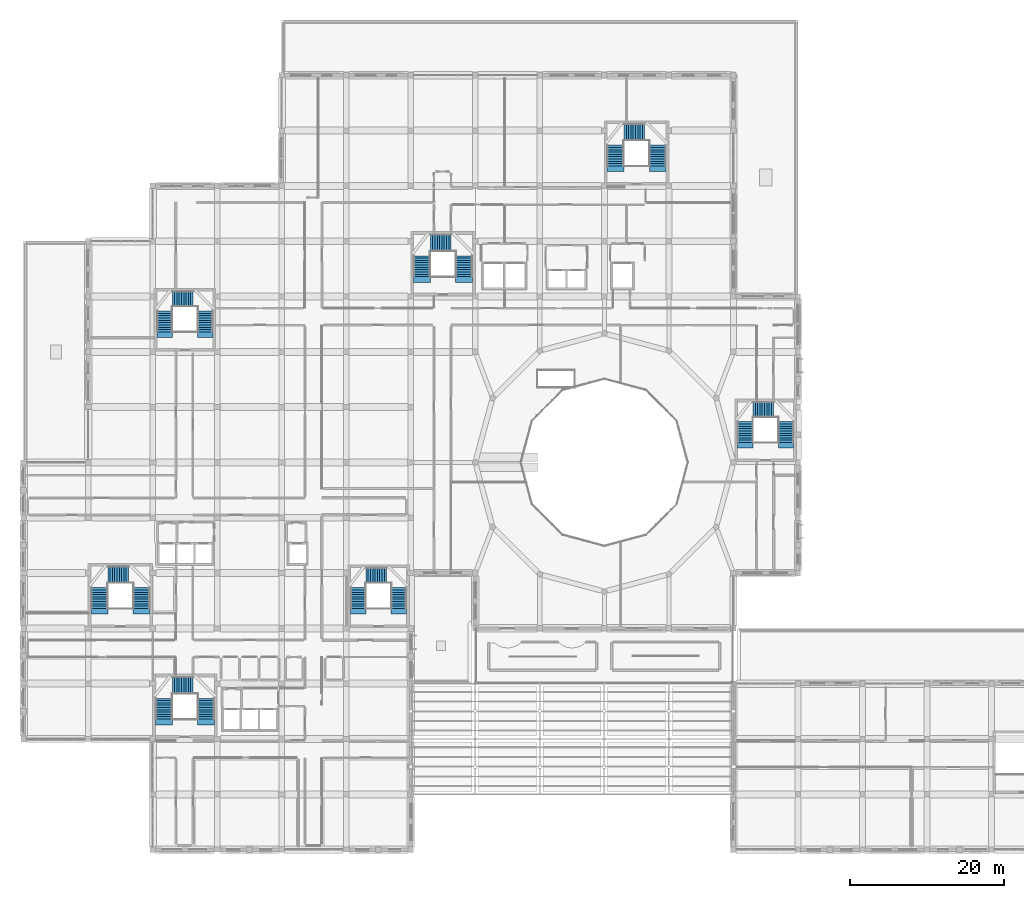
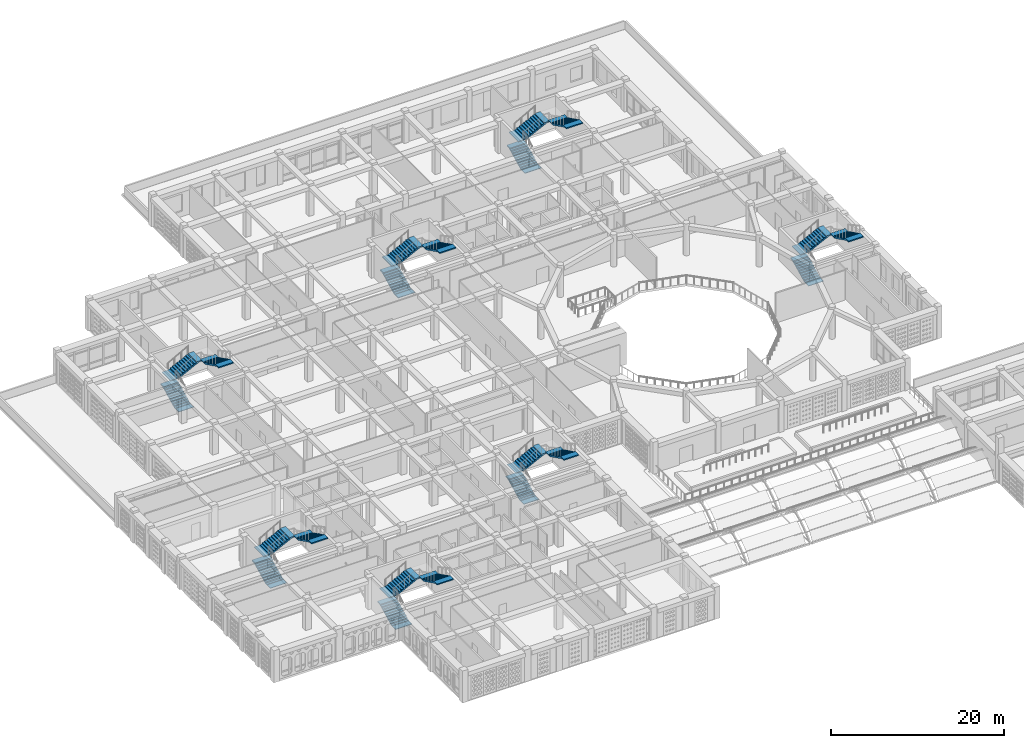
# One storey, part 67 of 100: 21 stair flights, 7 elements without a shape of their own.
"""IFC4 building model written with IfcOpenShell, lengths in metres."""

from ifc_helpers import new_model, si_unit, derived_unit, direction, frame, origin, place, context, subcontext, project, spatial, polyline, outline, extrude, material, type_object, element, aggregate, save


model = new_model("IFC4")

# Units and contexts
model_context = context("Model", 3, precision=1e-05, world=origin(), true_north=direction((0.0, 1.0)))
body_context = subcontext(model_context, "Body", "Model", "MODEL_VIEW")
ifc_project = project(units=[si_unit("LENGTHUNIT", "METRE"), si_unit("AREAUNIT", "SQUARE_METRE"), si_unit("VOLUMEUNIT", "CUBIC_METRE"), si_unit("PLANEANGLEUNIT", "RADIAN"), si_unit("MASSUNIT", "GRAM", prefix="KILO"), derived_unit("THERMALTRANSMITTANCEUNIT", [(si_unit("POWERUNIT", "WATT"), 1), (si_unit("LENGTHUNIT", "METRE"), -2), (si_unit("THERMODYNAMICTEMPERATUREUNIT", "KELVIN"), -1)])], contexts=[model_context])

# Site, building, storey
site_placement = place(None, origin())
site = spatial("IfcSite", under=ifc_project, at=site_placement, CompositionType="ELEMENT")
building_placement = place(site_placement, origin())
building = spatial("IfcBuilding", under=site, at=building_placement, Name="Veybourne Emporium", CompositionType="ELEMENT")
storey_placement = place(building_placement, frame((0.0, 0.0, 14.39990234375)))
storey = spatial("IfcBuildingStorey", under=building, at=storey_placement, Name="L03", CompositionType="ELEMENT", Elevation=14.39990234375)

# Stair, stair flights
ifc_material = material(Name="Concrete C32/40", Category="concrete")
stair_type_1 = type_object("IfcStairType", Name="Stair_ST-05-R30", PredefinedType="TWO_QUARTER_TURN_STAIR", material=ifc_material)
stair_1_placement = place(storey_placement, origin())
stair_1 = element("IfcStair", 1, at=stair_1_placement, inside=storey, type_object=stair_type_1, Name="L03 stair ST-05", PredefinedType="TWO_QUARTER_TURN_STAIR")
stair_flight_type_1 = type_object("IfcStairFlightType", Name="Flight_FL-2000-R10", PredefinedType="STRAIGHT", material=ifc_material)
stair_flight_1_placement = place(storey_placement, frame((43.550048828125, 31.39990234375, 0.0), z_axis=(0.0, 0.0, 1.0), x_axis=(0.0, 1.0, 0.0)))
stair_flight_1 = element("IfcStairFlight", 2, at=stair_flight_1_placement, type_object=stair_flight_type_1, Name="ST-05-R30 flight 1", NumberOfRisers=10, NumberOfTreads=9, PredefinedType="STRAIGHT", RiserHeight=0.15, TreadLength=0.3, context=body_context, shape_type="SweptSolid", body=[
    extrude(outline(polyline([(-0.75, 0.0), (-0.75, 0.080078125), (-0.375, 0.080078125), (0.0, 0.080078125), (0.0, 0.14990234375), (0.300048828125, 0.14990234375), (0.300048828125, 0.300048828125), (0.60009765625, 0.300048828125), (0.60009765625, 0.449951171875), (0.89990234375, 0.449951171875), (0.89990234375, 0.60009765625), (1.199951171875, 0.60009765625), (1.199951171875, 0.75), (1.5, 0.75), (1.5, 0.89990234375), (1.800048828125, 0.89990234375), (1.800048828125, 1.050048828125), (2.10009765625, 1.050048828125), (2.10009765625, 1.199951171875), (2.39990234375, 1.199951171875), (2.39990234375, 1.35009765625), (2.699951171875, 1.35009765625), (2.699951171875, 1.5), (3.074951171875, 1.5), (3.449951171875, 1.5), (3.449951171875, 1.340087890625), (3.074951171875, 1.340087890625), (2.699951171875, 1.171142578125), (0.357666015625, 0.0), (-0.75, 0.0)])), frame((0.0, 1.0, 0.0), z_axis=(0.0, -1.0, 0.0), x_axis=(1.0, 0.0, 0.0)), (0.0, 0.0, 1.0), 2.0),
])
stair_flight_2_placement = place(storey_placement, frame((44.550048828125, 35.699951171875, 1.5), z_axis=(0.0, 0.0, 1.0), x_axis=(1.0, 0.0, 0.0)))
stair_flight_2 = element("IfcStairFlight", 3, at=stair_flight_2_placement, type_object=stair_flight_type_1, Name="ST-05-R30 flight 2", NumberOfRisers=10, NumberOfTreads=9, PredefinedType="STRAIGHT", RiserHeight=0.15, TreadLength=0.3, context=body_context, shape_type="SweptSolid", body=[
    extrude(outline(polyline([(-0.75, 0.0), (-0.75, 0.080078125), (-0.375, 0.080078125), (0.0, 0.080078125), (0.0, 0.14990234375), (0.300048828125, 0.14990234375), (0.300048828125, 0.300048828125), (0.60009765625, 0.300048828125), (0.60009765625, 0.449951171875), (0.89990234375, 0.449951171875), (0.89990234375, 0.60009765625), (1.199951171875, 0.60009765625), (1.199951171875, 0.75), (1.5, 0.75), (1.5, 0.89990234375), (1.800048828125, 0.89990234375), (1.800048828125, 1.050048828125), (2.10009765625, 1.050048828125), (2.10009765625, 1.199951171875), (2.39990234375, 1.199951171875), (2.39990234375, 1.35009765625), (2.699951171875, 1.35009765625), (2.699951171875, 1.5), (3.074951171875, 1.5), (3.449951171875, 1.5), (3.449951171875, 1.340087890625), (3.074951171875, 1.340087890625), (2.699951171875, 1.171142578125), (0.357666015625, 0.0), (-0.75, 0.0)])), frame((0.0, 1.0, 0.0), z_axis=(0.0, -1.0, 0.0), x_axis=(1.0, 0.0, 0.0)), (0.0, 0.0, 1.0), 2.0),
])
stair_flight_3_placement = place(storey_placement, frame((48.85009765625, 34.10009765625, 3.0), z_axis=(0.0, 0.0, 1.0), x_axis=(0.0, -1.0, 0.0)))
stair_flight_3 = element("IfcStairFlight", 4, at=stair_flight_3_placement, type_object=stair_flight_type_1, Name="ST-05-R30 flight 3", NumberOfRisers=10, NumberOfTreads=9, PredefinedType="STRAIGHT", RiserHeight=0.15, TreadLength=0.3, context=body_context, shape_type="SweptSolid", body=[
    extrude(outline(polyline([(-0.75, 0.0), (-0.75, 0.080078125), (-0.375, 0.080078125), (0.0, 0.080078125), (0.0, 0.14990234375), (0.300048828125, 0.14990234375), (0.300048828125, 0.300048828125), (0.60009765625, 0.300048828125), (0.60009765625, 0.449951171875), (0.89990234375, 0.449951171875), (0.89990234375, 0.60009765625), (1.199951171875, 0.60009765625), (1.199951171875, 0.75), (1.5, 0.75), (1.5, 0.89990234375), (1.800048828125, 0.89990234375), (1.800048828125, 1.050048828125), (2.10009765625, 1.050048828125), (2.10009765625, 1.199951171875), (2.39990234375, 1.199951171875), (2.39990234375, 1.35009765625), (2.699951171875, 1.35009765625), (2.699951171875, 1.5), (3.074951171875, 1.5), (3.449951171875, 1.5), (3.449951171875, 1.340087890625), (3.074951171875, 1.340087890625), (2.699951171875, 1.171142578125), (0.357666015625, 0.0), (-0.75, 0.0)])), frame((0.0, 1.0, 0.0), z_axis=(0.0, -1.0, 0.0), x_axis=(1.0, 0.0, 0.0)), (0.0, 0.0, 1.0), 2.0),
])
aggregate(stair_1, [stair_flight_1, stair_flight_2, stair_flight_3])

stair_type_2 = type_object("IfcStairType", Name="Stair_ST-07-R30", PredefinedType="TWO_QUARTER_TURN_STAIR", material=ifc_material)
stair_2_placement = place(storey_placement, origin())
stair_2 = element("IfcStair", 5, at=stair_2_placement, inside=storey, type_object=stair_type_2, Name="L03 stair ST-07", PredefinedType="TWO_QUARTER_TURN_STAIR")
stair_flight_4_placement = place(storey_placement, frame((93.949951171875, 53.0, 0.0), z_axis=(0.0, 0.0, 1.0), x_axis=(0.0, 1.0, 0.0)))
stair_flight_4 = element("IfcStairFlight", 6, at=stair_flight_4_placement, type_object=stair_flight_type_1, Name="ST-07-R30 flight 1", NumberOfRisers=10, NumberOfTreads=9, PredefinedType="STRAIGHT", RiserHeight=0.15, TreadLength=0.3, context=body_context, shape_type="SweptSolid", body=[
    extrude(outline(polyline([(-0.75, 0.0), (-0.75, 0.080078125), (-0.375, 0.080078125), (0.0, 0.080078125), (0.0, 0.14990234375), (0.300048828125, 0.14990234375), (0.300048828125, 0.300048828125), (0.60009765625, 0.300048828125), (0.60009765625, 0.449951171875), (0.89990234375, 0.449951171875), (0.89990234375, 0.60009765625), (1.199951171875, 0.60009765625), (1.199951171875, 0.75), (1.5, 0.75), (1.5, 0.89990234375), (1.800048828125, 0.89990234375), (1.800048828125, 1.050048828125), (2.10009765625, 1.050048828125), (2.10009765625, 1.199951171875), (2.39990234375, 1.199951171875), (2.39990234375, 1.35009765625), (2.699951171875, 1.35009765625), (2.699951171875, 1.5), (3.074951171875, 1.5), (3.449951171875, 1.5), (3.449951171875, 1.340087890625), (3.074951171875, 1.340087890625), (2.699951171875, 1.171142578125), (0.357666015625, 0.0), (-0.75, 0.0)])), frame((0.0, 1.0, 0.0), z_axis=(0.0, -1.0, 0.0), x_axis=(1.0, 0.0, 0.0)), (0.0, 0.0, 1.0), 2.0),
])
stair_flight_5_placement = place(storey_placement, frame((94.949951171875, 57.300048828125, 1.5), z_axis=(0.0, 0.0, 1.0), x_axis=(1.0, 0.0, 0.0)))
stair_flight_5 = element("IfcStairFlight", 7, at=stair_flight_5_placement, type_object=stair_flight_type_1, Name="ST-07-R30 flight 2", NumberOfRisers=10, NumberOfTreads=9, PredefinedType="STRAIGHT", RiserHeight=0.15, TreadLength=0.3, context=body_context, shape_type="SweptSolid", body=[
    extrude(outline(polyline([(-0.75, 0.0), (-0.75, 0.080078125), (-0.375, 0.080078125), (0.0, 0.080078125), (0.0, 0.14990234375), (0.300048828125, 0.14990234375), (0.300048828125, 0.300048828125), (0.60009765625, 0.300048828125), (0.60009765625, 0.449951171875), (0.89990234375, 0.449951171875), (0.89990234375, 0.60009765625), (1.199951171875, 0.60009765625), (1.199951171875, 0.75), (1.5, 0.75), (1.5, 0.89990234375), (1.800048828125, 0.89990234375), (1.800048828125, 1.050048828125), (2.10009765625, 1.050048828125), (2.10009765625, 1.199951171875), (2.39990234375, 1.199951171875), (2.39990234375, 1.35009765625), (2.699951171875, 1.35009765625), (2.699951171875, 1.5), (3.074951171875, 1.5), (3.449951171875, 1.5), (3.449951171875, 1.340087890625), (3.074951171875, 1.340087890625), (2.699951171875, 1.171142578125), (0.357666015625, 0.0), (-0.75, 0.0)])), frame((0.0, 1.0, 0.0), z_axis=(0.0, -1.0, 0.0), x_axis=(1.0, 0.0, 0.0)), (0.0, 0.0, 1.0), 2.0),
])
stair_flight_6_placement = place(storey_placement, frame((99.25, 55.699951171875, 3.0), z_axis=(0.0, 0.0, 1.0), x_axis=(0.0, -1.0, 0.0)))
stair_flight_6 = element("IfcStairFlight", 8, at=stair_flight_6_placement, type_object=stair_flight_type_1, Name="ST-07-R30 flight 3", NumberOfRisers=10, NumberOfTreads=9, PredefinedType="STRAIGHT", RiserHeight=0.15, TreadLength=0.3, context=body_context, shape_type="SweptSolid", body=[
    extrude(outline(polyline([(-0.75, 0.0), (-0.75, 0.080078125), (-0.375, 0.080078125), (0.0, 0.080078125), (0.0, 0.14990234375), (0.300048828125, 0.14990234375), (0.300048828125, 0.300048828125), (0.60009765625, 0.300048828125), (0.60009765625, 0.449951171875), (0.89990234375, 0.449951171875), (0.89990234375, 0.60009765625), (1.199951171875, 0.60009765625), (1.199951171875, 0.75), (1.5, 0.75), (1.5, 0.89990234375), (1.800048828125, 0.89990234375), (1.800048828125, 1.050048828125), (2.10009765625, 1.050048828125), (2.10009765625, 1.199951171875), (2.39990234375, 1.199951171875), (2.39990234375, 1.35009765625), (2.699951171875, 1.35009765625), (2.699951171875, 1.5), (3.074951171875, 1.5), (3.449951171875, 1.5), (3.449951171875, 1.340087890625), (3.074951171875, 1.340087890625), (2.699951171875, 1.171142578125), (0.357666015625, 0.0), (-0.75, 0.0)])), frame((0.0, 1.0, 0.0), z_axis=(0.0, -1.0, 0.0), x_axis=(1.0, 0.0, 0.0)), (0.0, 0.0, 1.0), 2.0),
])
aggregate(stair_2, [stair_flight_4, stair_flight_5, stair_flight_6])

stair_type_3 = type_object("IfcStairType", Name="Stair_ST-08-R30", PredefinedType="TWO_QUARTER_TURN_STAIR", material=ifc_material)
stair_3_placement = place(storey_placement, origin())
stair_3 = element("IfcStair", 9, at=stair_3_placement, inside=storey, type_object=stair_type_3, Name="L03 stair ST-08", PredefinedType="TWO_QUARTER_TURN_STAIR")
stair_flight_7_placement = place(storey_placement, frame((18.35009765625, 67.39990234375, 0.0), z_axis=(0.0, 0.0, 1.0), x_axis=(0.0, 1.0, 0.0)))
stair_flight_7 = element("IfcStairFlight", 10, at=stair_flight_7_placement, type_object=stair_flight_type_1, Name="ST-08-R30 flight 1", NumberOfRisers=10, NumberOfTreads=9, PredefinedType="STRAIGHT", RiserHeight=0.15, TreadLength=0.3, context=body_context, shape_type="SweptSolid", body=[
    extrude(outline(polyline([(-0.75, 0.0), (-0.75, 0.080078125), (-0.375, 0.080078125), (0.0, 0.080078125), (0.0, 0.14990234375), (0.300048828125, 0.14990234375), (0.300048828125, 0.300048828125), (0.60009765625, 0.300048828125), (0.60009765625, 0.449951171875), (0.89990234375, 0.449951171875), (0.89990234375, 0.60009765625), (1.199951171875, 0.60009765625), (1.199951171875, 0.75), (1.5, 0.75), (1.5, 0.89990234375), (1.800048828125, 0.89990234375), (1.800048828125, 1.050048828125), (2.10009765625, 1.050048828125), (2.10009765625, 1.199951171875), (2.39990234375, 1.199951171875), (2.39990234375, 1.35009765625), (2.699951171875, 1.35009765625), (2.699951171875, 1.5), (3.074951171875, 1.5), (3.449951171875, 1.5), (3.449951171875, 1.340087890625), (3.074951171875, 1.340087890625), (2.699951171875, 1.171142578125), (0.357666015625, 0.0), (-0.75, 0.0)])), frame((0.0, 1.0, 0.0), z_axis=(0.0, -1.0, 0.0), x_axis=(1.0, 0.0, 0.0)), (0.0, 0.0, 1.0), 2.0),
])
stair_flight_8_placement = place(storey_placement, frame((19.35009765625, 71.699951171875, 1.5), z_axis=(0.0, 0.0, 1.0), x_axis=(1.0, 0.0, 0.0)))
stair_flight_8 = element("IfcStairFlight", 11, at=stair_flight_8_placement, type_object=stair_flight_type_1, Name="ST-08-R30 flight 2", NumberOfRisers=10, NumberOfTreads=9, PredefinedType="STRAIGHT", RiserHeight=0.15, TreadLength=0.3, context=body_context, shape_type="SweptSolid", body=[
    extrude(outline(polyline([(-0.75, 0.0), (-0.75, 0.080078125), (-0.375, 0.080078125), (0.0, 0.080078125), (0.0, 0.14990234375), (0.300048828125, 0.14990234375), (0.300048828125, 0.300048828125), (0.60009765625, 0.300048828125), (0.60009765625, 0.449951171875), (0.89990234375, 0.449951171875), (0.89990234375, 0.60009765625), (1.199951171875, 0.60009765625), (1.199951171875, 0.75), (1.5, 0.75), (1.5, 0.89990234375), (1.800048828125, 0.89990234375), (1.800048828125, 1.050048828125), (2.10009765625, 1.050048828125), (2.10009765625, 1.199951171875), (2.39990234375, 1.199951171875), (2.39990234375, 1.35009765625), (2.699951171875, 1.35009765625), (2.699951171875, 1.5), (3.074951171875, 1.5), (3.449951171875, 1.5), (3.449951171875, 1.340087890625), (3.074951171875, 1.340087890625), (2.699951171875, 1.171142578125), (0.357666015625, 0.0), (-0.75, 0.0)])), frame((0.0, 1.0, 0.0), z_axis=(0.0, -1.0, 0.0), x_axis=(1.0, 0.0, 0.0)), (0.0, 0.0, 1.0), 2.0),
])
stair_flight_9_placement = place(storey_placement, frame((23.64990234375, 70.10009765625, 3.0), z_axis=(0.0, 0.0, 1.0), x_axis=(0.0, -1.0, 0.0)))
stair_flight_9 = element("IfcStairFlight", 12, at=stair_flight_9_placement, type_object=stair_flight_type_1, Name="ST-08-R30 flight 3", NumberOfRisers=10, NumberOfTreads=9, PredefinedType="STRAIGHT", RiserHeight=0.15, TreadLength=0.3, context=body_context, shape_type="SweptSolid", body=[
    extrude(outline(polyline([(-0.75, 0.0), (-0.75, 0.080078125), (-0.375, 0.080078125), (0.0, 0.080078125), (0.0, 0.14990234375), (0.300048828125, 0.14990234375), (0.300048828125, 0.300048828125), (0.60009765625, 0.300048828125), (0.60009765625, 0.449951171875), (0.89990234375, 0.449951171875), (0.89990234375, 0.60009765625), (1.199951171875, 0.60009765625), (1.199951171875, 0.75), (1.5, 0.75), (1.5, 0.89990234375), (1.800048828125, 0.89990234375), (1.800048828125, 1.050048828125), (2.10009765625, 1.050048828125), (2.10009765625, 1.199951171875), (2.39990234375, 1.199951171875), (2.39990234375, 1.35009765625), (2.699951171875, 1.35009765625), (2.699951171875, 1.5), (3.074951171875, 1.5), (3.449951171875, 1.5), (3.449951171875, 1.340087890625), (3.074951171875, 1.340087890625), (2.699951171875, 1.171142578125), (0.357666015625, 0.0), (-0.75, 0.0)])), frame((0.0, 1.0, 0.0), z_axis=(0.0, -1.0, 0.0), x_axis=(1.0, 0.0, 0.0)), (0.0, 0.0, 1.0), 2.0),
])
aggregate(stair_3, [stair_flight_7, stair_flight_8, stair_flight_9])

stair_type_4 = type_object("IfcStairType", Name="Stair_ST-01-R30", PredefinedType="TWO_QUARTER_TURN_STAIR", material=ifc_material)
stair_4_placement = place(storey_placement, origin())
stair_4 = element("IfcStair", 13, at=stair_4_placement, inside=storey, type_object=stair_type_4, Name="L03 stair ST-01", PredefinedType="TWO_QUARTER_TURN_STAIR")
stair_flight_type_2 = type_object("IfcStairFlightType", Name="Flight_FL-2200-R10", PredefinedType="STRAIGHT", material=ifc_material)
stair_flight_10_placement = place(storey_placement, frame((18.25, 17.0, 0.0), z_axis=(0.0, 0.0, 1.0), x_axis=(0.0, 1.0, 0.0)))
stair_flight_10 = element("IfcStairFlight", 14, at=stair_flight_10_placement, type_object=stair_flight_type_2, Name="ST-01-R30 flight 1", NumberOfRisers=10, NumberOfTreads=9, PredefinedType="STRAIGHT", RiserHeight=0.15, TreadLength=0.3, context=body_context, shape_type="SweptSolid", body=[
    extrude(outline(polyline([(-0.75, 0.0), (-0.75, 0.080078125), (-0.375, 0.080078125), (0.0, 0.080078125), (0.0, 0.14990234375), (0.300048828125, 0.14990234375), (0.300048828125, 0.300048828125), (0.60009765625, 0.300048828125), (0.60009765625, 0.449951171875), (0.89990234375, 0.449951171875), (0.89990234375, 0.60009765625), (1.199951171875, 0.60009765625), (1.199951171875, 0.75), (1.5, 0.75), (1.5, 0.89990234375), (1.800048828125, 0.89990234375), (1.800048828125, 1.050048828125), (2.10009765625, 1.050048828125), (2.10009765625, 1.199951171875), (2.39990234375, 1.199951171875), (2.39990234375, 1.35009765625), (2.699951171875, 1.35009765625), (2.699951171875, 1.5), (3.074951171875, 1.5), (3.449951171875, 1.5), (3.449951171875, 1.340087890625), (3.074951171875, 1.340087890625), (2.699951171875, 1.171142578125), (0.357666015625, 0.0), (-0.75, 0.0)])), frame((0.0, 1.10009765625, 0.0), z_axis=(0.0, -1.0, 0.0), x_axis=(1.0, 0.0, 0.0)), (0.0, 0.0, 1.0), 2.199951171875),
])
stair_flight_11_placement = place(storey_placement, frame((19.35009765625, 21.39990234375, 1.5), z_axis=(0.0, 0.0, 1.0), x_axis=(1.0, 0.0, 0.0)))
stair_flight_11 = element("IfcStairFlight", 15, at=stair_flight_11_placement, type_object=stair_flight_type_2, Name="ST-01-R30 flight 2", NumberOfRisers=10, NumberOfTreads=9, PredefinedType="STRAIGHT", RiserHeight=0.15, TreadLength=0.3, context=body_context, shape_type="SweptSolid", body=[
    extrude(outline(polyline([(-0.75, 0.0), (-0.75, 0.080078125), (-0.375, 0.080078125), (0.0, 0.080078125), (0.0, 0.14990234375), (0.300048828125, 0.14990234375), (0.300048828125, 0.300048828125), (0.60009765625, 0.300048828125), (0.60009765625, 0.449951171875), (0.89990234375, 0.449951171875), (0.89990234375, 0.60009765625), (1.199951171875, 0.60009765625), (1.199951171875, 0.75), (1.5, 0.75), (1.5, 0.89990234375), (1.800048828125, 0.89990234375), (1.800048828125, 1.050048828125), (2.10009765625, 1.050048828125), (2.10009765625, 1.199951171875), (2.39990234375, 1.199951171875), (2.39990234375, 1.35009765625), (2.699951171875, 1.35009765625), (2.699951171875, 1.5), (3.074951171875, 1.5), (3.449951171875, 1.5), (3.449951171875, 1.340087890625), (3.074951171875, 1.340087890625), (2.699951171875, 1.171142578125), (0.357666015625, 0.0), (-0.75, 0.0)])), frame((0.0, 1.10009765625, 0.0), z_axis=(0.0, -1.0, 0.0), x_axis=(1.0, 0.0, 0.0)), (0.0, 0.0, 1.0), 2.199951171875),
])
stair_flight_12_placement = place(storey_placement, frame((23.75, 19.699951171875, 3.0), z_axis=(0.0, 0.0, 1.0), x_axis=(0.0, -1.0, 0.0)))
stair_flight_12 = element("IfcStairFlight", 16, at=stair_flight_12_placement, type_object=stair_flight_type_2, Name="ST-01-R30 flight 3", NumberOfRisers=10, NumberOfTreads=9, PredefinedType="STRAIGHT", RiserHeight=0.15, TreadLength=0.3, context=body_context, shape_type="SweptSolid", body=[
    extrude(outline(polyline([(-0.75, 0.0), (-0.75, 0.080078125), (-0.375, 0.080078125), (0.0, 0.080078125), (0.0, 0.14990234375), (0.300048828125, 0.14990234375), (0.300048828125, 0.300048828125), (0.60009765625, 0.300048828125), (0.60009765625, 0.449951171875), (0.89990234375, 0.449951171875), (0.89990234375, 0.60009765625), (1.199951171875, 0.60009765625), (1.199951171875, 0.75), (1.5, 0.75), (1.5, 0.89990234375), (1.800048828125, 0.89990234375), (1.800048828125, 1.050048828125), (2.10009765625, 1.050048828125), (2.10009765625, 1.199951171875), (2.39990234375, 1.199951171875), (2.39990234375, 1.35009765625), (2.699951171875, 1.35009765625), (2.699951171875, 1.5), (3.074951171875, 1.5), (3.449951171875, 1.5), (3.449951171875, 1.340087890625), (3.074951171875, 1.340087890625), (2.699951171875, 1.171142578125), (0.357666015625, 0.0), (-0.75, 0.0)])), frame((0.0, 1.10009765625, 0.0), z_axis=(0.0, -1.0, 0.0), x_axis=(1.0, 0.0, 0.0)), (0.0, 0.0, 1.0), 2.199951171875),
])
aggregate(stair_4, [stair_flight_10, stair_flight_11, stair_flight_12])

stair_type_5 = type_object("IfcStairType", Name="Stair_ST-02-R30", PredefinedType="TWO_QUARTER_TURN_STAIR", material=ifc_material)
stair_5_placement = place(storey_placement, origin())
stair_5 = element("IfcStair", 17, at=stair_5_placement, inside=storey, type_object=stair_type_5, Name="L03 stair ST-02", PredefinedType="TWO_QUARTER_TURN_STAIR")
stair_flight_13_placement = place(storey_placement, frame((9.85009765625, 31.39990234375, 0.0), z_axis=(0.0, 0.0, 1.0), x_axis=(0.0, 1.0, 0.0)))
stair_flight_13 = element("IfcStairFlight", 18, at=stair_flight_13_placement, type_object=stair_flight_type_2, Name="ST-02-R30 flight 1", NumberOfRisers=10, NumberOfTreads=9, PredefinedType="STRAIGHT", RiserHeight=0.15, TreadLength=0.3, context=body_context, shape_type="SweptSolid", body=[
    extrude(outline(polyline([(-0.75, 0.0), (-0.75, 0.080078125), (-0.375, 0.080078125), (0.0, 0.080078125), (0.0, 0.14990234375), (0.300048828125, 0.14990234375), (0.300048828125, 0.300048828125), (0.60009765625, 0.300048828125), (0.60009765625, 0.449951171875), (0.89990234375, 0.449951171875), (0.89990234375, 0.60009765625), (1.199951171875, 0.60009765625), (1.199951171875, 0.75), (1.5, 0.75), (1.5, 0.89990234375), (1.800048828125, 0.89990234375), (1.800048828125, 1.050048828125), (2.10009765625, 1.050048828125), (2.10009765625, 1.199951171875), (2.39990234375, 1.199951171875), (2.39990234375, 1.35009765625), (2.699951171875, 1.35009765625), (2.699951171875, 1.5), (3.074951171875, 1.5), (3.449951171875, 1.5), (3.449951171875, 1.340087890625), (3.074951171875, 1.340087890625), (2.699951171875, 1.171142578125), (0.357666015625, 0.0), (-0.75, 0.0)])), frame((0.0, 1.10009765625, 0.0), z_axis=(0.0, -1.0, 0.0), x_axis=(1.0, 0.0, 0.0)), (0.0, 0.0, 1.0), 2.199951171875),
])
stair_flight_14_placement = place(storey_placement, frame((10.949951171875, 35.800048828125, 1.5), z_axis=(0.0, 0.0, 1.0), x_axis=(1.0, 0.0, 0.0)))
stair_flight_14 = element("IfcStairFlight", 19, at=stair_flight_14_placement, type_object=stair_flight_type_2, Name="ST-02-R30 flight 2", NumberOfRisers=10, NumberOfTreads=9, PredefinedType="STRAIGHT", RiserHeight=0.15, TreadLength=0.3, context=body_context, shape_type="SweptSolid", body=[
    extrude(outline(polyline([(-0.75, 0.0), (-0.75, 0.080078125), (-0.375, 0.080078125), (0.0, 0.080078125), (0.0, 0.14990234375), (0.300048828125, 0.14990234375), (0.300048828125, 0.300048828125), (0.60009765625, 0.300048828125), (0.60009765625, 0.449951171875), (0.89990234375, 0.449951171875), (0.89990234375, 0.60009765625), (1.199951171875, 0.60009765625), (1.199951171875, 0.75), (1.5, 0.75), (1.5, 0.89990234375), (1.800048828125, 0.89990234375), (1.800048828125, 1.050048828125), (2.10009765625, 1.050048828125), (2.10009765625, 1.199951171875), (2.39990234375, 1.199951171875), (2.39990234375, 1.35009765625), (2.699951171875, 1.35009765625), (2.699951171875, 1.5), (3.074951171875, 1.5), (3.449951171875, 1.5), (3.449951171875, 1.340087890625), (3.074951171875, 1.340087890625), (2.699951171875, 1.171142578125), (0.357666015625, 0.0), (-0.75, 0.0)])), frame((0.0, 1.10009765625, 0.0), z_axis=(0.0, -1.0, 0.0), x_axis=(1.0, 0.0, 0.0)), (0.0, 0.0, 1.0), 2.199951171875),
])
stair_flight_15_placement = place(storey_placement, frame((15.35009765625, 34.10009765625, 3.0), z_axis=(0.0, 0.0, 1.0), x_axis=(0.0, -1.0, 0.0)))
stair_flight_15 = element("IfcStairFlight", 20, at=stair_flight_15_placement, type_object=stair_flight_type_2, Name="ST-02-R30 flight 3", NumberOfRisers=10, NumberOfTreads=9, PredefinedType="STRAIGHT", RiserHeight=0.15, TreadLength=0.3, context=body_context, shape_type="SweptSolid", body=[
    extrude(outline(polyline([(-0.75, 0.0), (-0.75, 0.080078125), (-0.375, 0.080078125), (0.0, 0.080078125), (0.0, 0.14990234375), (0.300048828125, 0.14990234375), (0.300048828125, 0.300048828125), (0.60009765625, 0.300048828125), (0.60009765625, 0.449951171875), (0.89990234375, 0.449951171875), (0.89990234375, 0.60009765625), (1.199951171875, 0.60009765625), (1.199951171875, 0.75), (1.5, 0.75), (1.5, 0.89990234375), (1.800048828125, 0.89990234375), (1.800048828125, 1.050048828125), (2.10009765625, 1.050048828125), (2.10009765625, 1.199951171875), (2.39990234375, 1.199951171875), (2.39990234375, 1.35009765625), (2.699951171875, 1.35009765625), (2.699951171875, 1.5), (3.074951171875, 1.5), (3.449951171875, 1.5), (3.449951171875, 1.340087890625), (3.074951171875, 1.340087890625), (2.699951171875, 1.171142578125), (0.357666015625, 0.0), (-0.75, 0.0)])), frame((0.0, 1.10009765625, 0.0), z_axis=(0.0, -1.0, 0.0), x_axis=(1.0, 0.0, 0.0)), (0.0, 0.0, 1.0), 2.199951171875),
])
aggregate(stair_5, [stair_flight_13, stair_flight_14, stair_flight_15])

stair_type_6 = type_object("IfcStairType", Name="Stair_ST-03-R30", PredefinedType="TWO_QUARTER_TURN_STAIR", material=ifc_material)
stair_6_placement = place(storey_placement, origin())
stair_6 = element("IfcStair", 21, at=stair_6_placement, inside=storey, type_object=stair_type_6, Name="L03 stair ST-03", PredefinedType="TWO_QUARTER_TURN_STAIR")
stair_flight_16_placement = place(storey_placement, frame((51.85009765625, 74.60009765625, 0.0), z_axis=(0.0, 0.0, 1.0), x_axis=(0.0, 1.0, 0.0)))
stair_flight_16 = element("IfcStairFlight", 22, at=stair_flight_16_placement, type_object=stair_flight_type_2, Name="ST-03-R30 flight 1", NumberOfRisers=10, NumberOfTreads=9, PredefinedType="STRAIGHT", RiserHeight=0.15, TreadLength=0.3, context=body_context, shape_type="SweptSolid", body=[
    extrude(outline(polyline([(-0.75, 0.0), (-0.75, 0.080078125), (-0.375, 0.080078125), (0.0, 0.080078125), (0.0, 0.14990234375), (0.300048828125, 0.14990234375), (0.300048828125, 0.300048828125), (0.60009765625, 0.300048828125), (0.60009765625, 0.449951171875), (0.89990234375, 0.449951171875), (0.89990234375, 0.60009765625), (1.199951171875, 0.60009765625), (1.199951171875, 0.75), (1.5, 0.75), (1.5, 0.89990234375), (1.800048828125, 0.89990234375), (1.800048828125, 1.050048828125), (2.10009765625, 1.050048828125), (2.10009765625, 1.199951171875), (2.39990234375, 1.199951171875), (2.39990234375, 1.35009765625), (2.699951171875, 1.35009765625), (2.699951171875, 1.5), (3.074951171875, 1.5), (3.449951171875, 1.5), (3.449951171875, 1.340087890625), (3.074951171875, 1.340087890625), (2.699951171875, 1.171142578125), (0.357666015625, 0.0), (-0.75, 0.0)])), frame((0.0, 1.10009765625, 0.0), z_axis=(0.0, -1.0, 0.0), x_axis=(1.0, 0.0, 0.0)), (0.0, 0.0, 1.0), 2.199951171875),
])
stair_flight_17_placement = place(storey_placement, frame((52.949951171875, 79.0, 1.5), z_axis=(0.0, 0.0, 1.0), x_axis=(1.0, 0.0, 0.0)))
stair_flight_17 = element("IfcStairFlight", 23, at=stair_flight_17_placement, type_object=stair_flight_type_2, Name="ST-03-R30 flight 2", NumberOfRisers=10, NumberOfTreads=9, PredefinedType="STRAIGHT", RiserHeight=0.15, TreadLength=0.3, context=body_context, shape_type="SweptSolid", body=[
    extrude(outline(polyline([(-0.75, 0.0), (-0.75, 0.080078125), (-0.375, 0.080078125), (0.0, 0.080078125), (0.0, 0.14990234375), (0.300048828125, 0.14990234375), (0.300048828125, 0.300048828125), (0.60009765625, 0.300048828125), (0.60009765625, 0.449951171875), (0.89990234375, 0.449951171875), (0.89990234375, 0.60009765625), (1.199951171875, 0.60009765625), (1.199951171875, 0.75), (1.5, 0.75), (1.5, 0.89990234375), (1.800048828125, 0.89990234375), (1.800048828125, 1.050048828125), (2.10009765625, 1.050048828125), (2.10009765625, 1.199951171875), (2.39990234375, 1.199951171875), (2.39990234375, 1.35009765625), (2.699951171875, 1.35009765625), (2.699951171875, 1.5), (3.074951171875, 1.5), (3.449951171875, 1.5), (3.449951171875, 1.340087890625), (3.074951171875, 1.340087890625), (2.699951171875, 1.171142578125), (0.357666015625, 0.0), (-0.75, 0.0)])), frame((0.0, 1.10009765625, 0.0), z_axis=(0.0, -1.0, 0.0), x_axis=(1.0, 0.0, 0.0)), (0.0, 0.0, 1.0), 2.199951171875),
])
stair_flight_18_placement = place(storey_placement, frame((57.35009765625, 77.300048828125, 3.0), z_axis=(0.0, 0.0, 1.0), x_axis=(0.0, -1.0, 0.0)))
stair_flight_18 = element("IfcStairFlight", 24, at=stair_flight_18_placement, type_object=stair_flight_type_2, Name="ST-03-R30 flight 3", NumberOfRisers=10, NumberOfTreads=9, PredefinedType="STRAIGHT", RiserHeight=0.15, TreadLength=0.3, context=body_context, shape_type="SweptSolid", body=[
    extrude(outline(polyline([(-0.75, 0.0), (-0.75, 0.080078125), (-0.375, 0.080078125), (0.0, 0.080078125), (0.0, 0.14990234375), (0.300048828125, 0.14990234375), (0.300048828125, 0.300048828125), (0.60009765625, 0.300048828125), (0.60009765625, 0.449951171875), (0.89990234375, 0.449951171875), (0.89990234375, 0.60009765625), (1.199951171875, 0.60009765625), (1.199951171875, 0.75), (1.5, 0.75), (1.5, 0.89990234375), (1.800048828125, 0.89990234375), (1.800048828125, 1.050048828125), (2.10009765625, 1.050048828125), (2.10009765625, 1.199951171875), (2.39990234375, 1.199951171875), (2.39990234375, 1.35009765625), (2.699951171875, 1.35009765625), (2.699951171875, 1.5), (3.074951171875, 1.5), (3.449951171875, 1.5), (3.449951171875, 1.340087890625), (3.074951171875, 1.340087890625), (2.699951171875, 1.171142578125), (0.357666015625, 0.0), (-0.75, 0.0)])), frame((0.0, 1.10009765625, 0.0), z_axis=(0.0, -1.0, 0.0), x_axis=(1.0, 0.0, 0.0)), (0.0, 0.0, 1.0), 2.199951171875),
])
aggregate(stair_6, [stair_flight_16, stair_flight_17, stair_flight_18])

stair_type_7 = type_object("IfcStairType", Name="Stair_ST-04-R30", PredefinedType="TWO_QUARTER_TURN_STAIR", material=ifc_material)
stair_7_placement = place(storey_placement, origin())
stair_7 = element("IfcStair", 25, at=stair_7_placement, inside=storey, type_object=stair_type_7, Name="L03 stair ST-04", PredefinedType="TWO_QUARTER_TURN_STAIR")
stair_flight_19_placement = place(storey_placement, frame((77.050048828125, 89.0, 0.0), z_axis=(0.0, 0.0, 1.0), x_axis=(0.0, 1.0, 0.0)))
stair_flight_19 = element("IfcStairFlight", 26, at=stair_flight_19_placement, type_object=stair_flight_type_2, Name="ST-04-R30 flight 1", NumberOfRisers=10, NumberOfTreads=9, PredefinedType="STRAIGHT", RiserHeight=0.15, TreadLength=0.3, context=body_context, shape_type="SweptSolid", body=[
    extrude(outline(polyline([(-0.75, 0.0), (-0.75, 0.080078125), (-0.375, 0.080078125), (0.0, 0.080078125), (0.0, 0.14990234375), (0.300048828125, 0.14990234375), (0.300048828125, 0.300048828125), (0.60009765625, 0.300048828125), (0.60009765625, 0.449951171875), (0.89990234375, 0.449951171875), (0.89990234375, 0.60009765625), (1.199951171875, 0.60009765625), (1.199951171875, 0.75), (1.5, 0.75), (1.5, 0.89990234375), (1.800048828125, 0.89990234375), (1.800048828125, 1.050048828125), (2.10009765625, 1.050048828125), (2.10009765625, 1.199951171875), (2.39990234375, 1.199951171875), (2.39990234375, 1.35009765625), (2.699951171875, 1.35009765625), (2.699951171875, 1.5), (3.074951171875, 1.5), (3.449951171875, 1.5), (3.449951171875, 1.340087890625), (3.074951171875, 1.340087890625), (2.699951171875, 1.171142578125), (0.357666015625, 0.0), (-0.75, 0.0)])), frame((0.0, 1.10009765625, 0.0), z_axis=(0.0, -1.0, 0.0), x_axis=(1.0, 0.0, 0.0)), (0.0, 0.0, 1.0), 2.199951171875),
])
stair_flight_20_placement = place(storey_placement, frame((78.14990234375, 93.39990234375, 1.5), z_axis=(0.0, 0.0, 1.0), x_axis=(1.0, 0.0, 0.0)))
stair_flight_20 = element("IfcStairFlight", 27, at=stair_flight_20_placement, type_object=stair_flight_type_2, Name="ST-04-R30 flight 2", NumberOfRisers=10, NumberOfTreads=9, PredefinedType="STRAIGHT", RiserHeight=0.15, TreadLength=0.3, context=body_context, shape_type="SweptSolid", body=[
    extrude(outline(polyline([(-0.75, 0.0), (-0.75, 0.080078125), (-0.375, 0.080078125), (0.0, 0.080078125), (0.0, 0.14990234375), (0.300048828125, 0.14990234375), (0.300048828125, 0.300048828125), (0.60009765625, 0.300048828125), (0.60009765625, 0.449951171875), (0.89990234375, 0.449951171875), (0.89990234375, 0.60009765625), (1.199951171875, 0.60009765625), (1.199951171875, 0.75), (1.5, 0.75), (1.5, 0.89990234375), (1.800048828125, 0.89990234375), (1.800048828125, 1.050048828125), (2.10009765625, 1.050048828125), (2.10009765625, 1.199951171875), (2.39990234375, 1.199951171875), (2.39990234375, 1.35009765625), (2.699951171875, 1.35009765625), (2.699951171875, 1.5), (3.074951171875, 1.5), (3.449951171875, 1.5), (3.449951171875, 1.340087890625), (3.074951171875, 1.340087890625), (2.699951171875, 1.171142578125), (0.357666015625, 0.0), (-0.75, 0.0)])), frame((0.0, 1.10009765625, 0.0), z_axis=(0.0, -1.0, 0.0), x_axis=(1.0, 0.0, 0.0)), (0.0, 0.0, 1.0), 2.199951171875),
])
stair_flight_21_placement = place(storey_placement, frame((82.550048828125, 91.699951171875, 3.0), z_axis=(0.0, 0.0, 1.0), x_axis=(0.0, -1.0, 0.0)))
stair_flight_21 = element("IfcStairFlight", 28, at=stair_flight_21_placement, type_object=stair_flight_type_2, Name="ST-04-R30 flight 3", NumberOfRisers=10, NumberOfTreads=9, PredefinedType="STRAIGHT", RiserHeight=0.15, TreadLength=0.3, context=body_context, shape_type="SweptSolid", body=[
    extrude(outline(polyline([(-0.75, 0.0), (-0.75, 0.080078125), (-0.375, 0.080078125), (0.0, 0.080078125), (0.0, 0.14990234375), (0.300048828125, 0.14990234375), (0.300048828125, 0.300048828125), (0.60009765625, 0.300048828125), (0.60009765625, 0.449951171875), (0.89990234375, 0.449951171875), (0.89990234375, 0.60009765625), (1.199951171875, 0.60009765625), (1.199951171875, 0.75), (1.5, 0.75), (1.5, 0.89990234375), (1.800048828125, 0.89990234375), (1.800048828125, 1.050048828125), (2.10009765625, 1.050048828125), (2.10009765625, 1.199951171875), (2.39990234375, 1.199951171875), (2.39990234375, 1.35009765625), (2.699951171875, 1.35009765625), (2.699951171875, 1.5), (3.074951171875, 1.5), (3.449951171875, 1.5), (3.449951171875, 1.340087890625), (3.074951171875, 1.340087890625), (2.699951171875, 1.171142578125), (0.357666015625, 0.0), (-0.75, 0.0)])), frame((0.0, 1.10009765625, 0.0), z_axis=(0.0, -1.0, 0.0), x_axis=(1.0, 0.0, 0.0)), (0.0, 0.0, 1.0), 2.199951171875),
])
aggregate(stair_7, [stair_flight_19, stair_flight_20, stair_flight_21])

save(model, "model.ifc")
